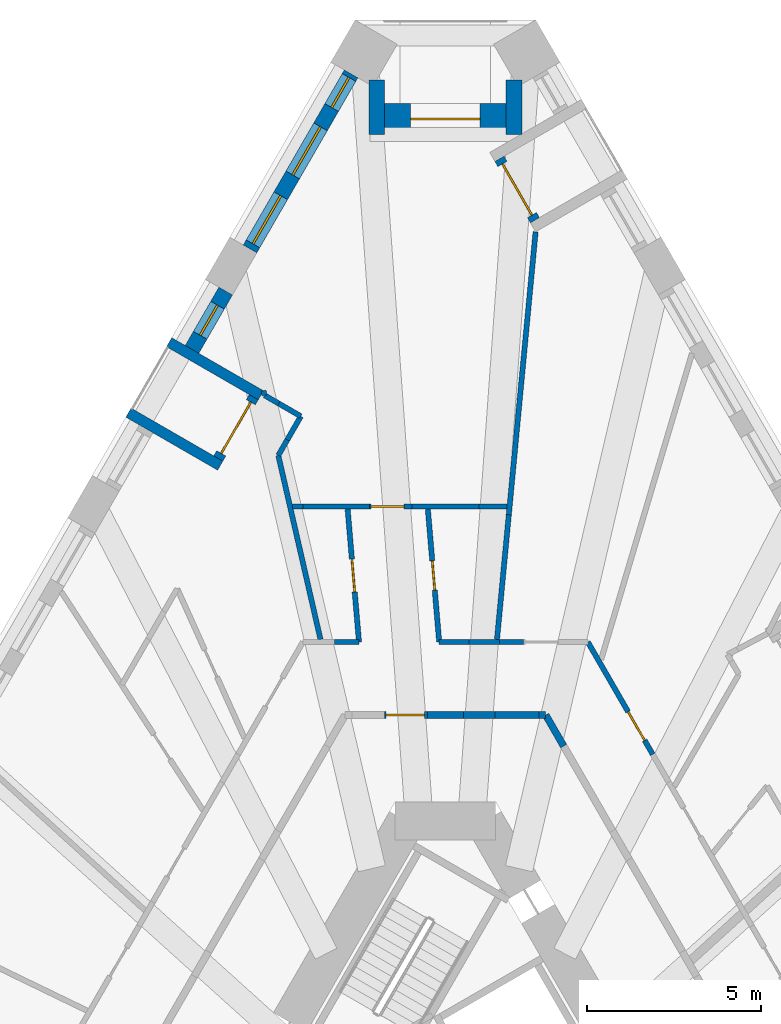
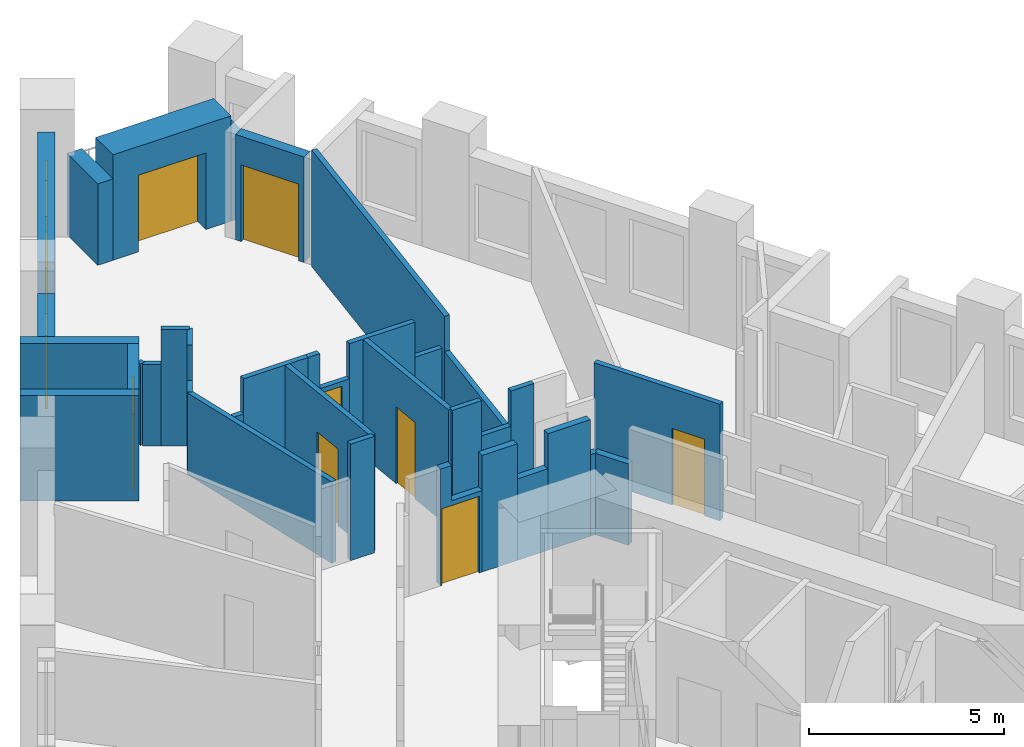
# One storey, part 9 of 14: 35 walls, 8 doors, 4 windows, 12 openings.
"""IFC4 building model written with IfcOpenShell, lengths in metres."""

from ifc_helpers import new_model, si_unit, direction, frame, frame_2d, origin, place, context, subcontext, project, spatial, polyline, rectangle, outline, extrude, material, layer, layer_set, type_object, element, fill, save


model = new_model("IFC4")

# Units and contexts
model_context = context("Model", 3, precision=1e-05, world=origin(), true_north=direction((0.0, 1.0)))
body_context = subcontext(model_context, "Body", "Model", "MODEL_VIEW")
ifc_project = project(units=[si_unit("LENGTHUNIT", "METRE"), si_unit("AREAUNIT", "SQUARE_METRE"), si_unit("VOLUMEUNIT", "CUBIC_METRE"), si_unit("PLANEANGLEUNIT", "RADIAN"), si_unit("MASSUNIT", "GRAM", prefix="KILO")], contexts=[model_context])

# Site, building, storey
site_placement = place(None, origin())
site = spatial("IfcSite", under=ifc_project, at=site_placement, CompositionType="ELEMENT")
building_placement = place(site_placement, origin())
building = spatial("IfcBuilding", under=site, at=building_placement, Name="Tramontana Tower", CompositionType="ELEMENT")
storey_placement = place(building_placement, frame((0.0, 0.0, 34.0)))
storey = spatial("IfcBuildingStorey", under=building, at=storey_placement, Name="L06", CompositionType="ELEMENT", Elevation=34.0)

# Wall
ifc_material_1 = material(Name="Blockwork", Category="masonry")
ifc_layer_1 = layer(ifc_material_1, 0.199951171875)
ifc_layer_set_1 = layer_set([ifc_layer_1], Name="ENTRY WALL 200")
wall_type_1 = type_object("IfcWallType", Name="ENTRY WALL 200", PredefinedType="SOLIDWALL", material=ifc_layer_set_1)
wall_1_placement = place(storey_placement, frame((2.88671875, 13.5, 0.0), z_axis=(0.0, 0.0, 1.0), x_axis=(0.499994660107, -0.866028486751, 0.0)))
element("IfcWall", 1, at=wall_1_placement, inside=storey, type_object=wall_type_1, Name="Wall v01-ew0-0", PredefinedType="SOLIDWALL", context=body_context, shape_type="SweptSolid", body=[
    extrude(rectangle(XDim=1.03515625, YDim=0.199951171875, at=frame_2d((0.517578125, 0.0))), origin(), (0.0, 0.0, 1.0), 2.550048828125),
])

# Wall, opening, door
wall_2_placement = place(storey_placement, frame((-0.520263671875, 13.5, 0.0), z_axis=(0.0, 0.0, 1.0), x_axis=(-1.0, 0.0, 0.0)))
wall_2 = element("IfcWall", 2, at=wall_2_placement, inside=storey, type_object=wall_type_1, Name="Wall v01-ew5-2", PredefinedType="SOLIDWALL", context=body_context, shape_type="SweptSolid", body=[
    extrude(outline(polyline([(0.0, 0.0), (1.23291015625, 0.0), (1.23291015625, 3.64990234375), (0.90234375, 3.64990234375), (0.90234375, 2.550048828125), (0.0, 2.550048828125), (0.0, 0.0)])), frame((0.0, 0.10009765625, 0.0), z_axis=(0.0, -1.0, 0.0), x_axis=(1.0, 0.0, 0.0)), (0.0, 0.0, 1.0), 0.199951171875),
])
opening_1_placement = place(wall_2_placement, frame((0.082763671875, 0.0, 0.0)))
opening_1 = element("IfcOpeningElement", 3, at=opening_1_placement, cuts=wall_2, Name="Opening B0B-34", PredefinedType="OPENING", context=body_context, shape_type="SweptSolid", body=[
    extrude(rectangle(XDim=1.10009765625, YDim=2.39990234375, at=frame_2d((0.550048828125, 1.199951171875))), frame((0.0, 0.10986328125, 0.0), z_axis=(0.0, -1.0, 0.0), x_axis=(1.0, 0.0, 0.0)), (0.0, 0.0, 1.0), 0.219970703125),
])
ifc_material_2 = material(Name="Painted timber", Category="wood")
door_type_1 = type_object("IfcDoorType", Name="DOOR ENTRY 1100", OperationType="SINGLE_SWING_LEFT", PredefinedType="DOOR", material=ifc_material_2)
door_1_placement = place(opening_1_placement, origin())
door_1 = element("IfcDoor", 4, at=door_1_placement, inside=storey, type_object=door_type_1, Name="Door B0B-34", OperationType="SINGLE_SWING_RIGHT", OverallHeight=2.39990234375, OverallWidth=1.10009765625, PredefinedType="DOOR", context=body_context, shape_type="SweptSolid", body=[
    extrude(rectangle(XDim=1.10009765625, YDim=2.39990234375, at=frame_2d((0.550048828125, 1.199951171875))), frame((0.0, 0.02490234375, 0.0), z_axis=(0.0, -1.0, 0.0), x_axis=(1.0, 0.0, 0.0)), (0.0, 0.0, 1.0), 0.050048828125),
])
fill(opening_1, door_1)

# Walls
wall_3_placement = place(storey_placement, frame((-0.520263671875, 13.5, 0.0), z_axis=(0.0, 0.0, 1.0), x_axis=(1.0, 0.0, 0.0)))
element("IfcWall", 5, at=wall_3_placement, inside=storey, type_object=wall_type_1, Name="Wall v01-ew5-3", PredefinedType="SOLIDWALL", context=body_context, shape_type="SweptSolid", body=[
    extrude(rectangle(XDim=1.04052734375, YDim=0.199951171875, at=frame_2d((0.520263671875, 0.0))), origin(), (0.0, 0.0, 1.0), 3.64990234375),
])
wall_4_placement = place(storey_placement, frame((0.520263671875, 13.5, 0.0), z_axis=(0.0, 0.0, 1.0), x_axis=(1.0, 0.0, 0.0)))
element("IfcWall", 6, at=wall_4_placement, inside=storey, type_object=wall_type_1, Name="Wall v01-ew5-4", PredefinedType="SOLIDWALL", context=body_context, shape_type="SweptSolid", body=[
    extrude(rectangle(XDim=0.90234375, YDim=0.199951171875, at=frame_2d((0.451171875, 0.0))), origin(), (0.0, 0.0, 1.0), 2.550048828125),
])
wall_5_placement = place(storey_placement, frame((1.422607421875, 13.5, 0.0), z_axis=(0.0, 0.0, 1.0), x_axis=(1.0, 0.0, 0.0)))
element("IfcWall", 7, at=wall_5_placement, inside=storey, type_object=wall_type_1, Name="Wall v01-ew5-5", PredefinedType="SOLIDWALL", context=body_context, shape_type="SweptSolid", body=[
    extrude(rectangle(XDim=1.266845703125, YDim=0.199951171875, at=frame_2d((0.63330078125, 0.0))), origin(), (0.0, 0.0, 1.0), 3.64990234375),
])
wall_6_placement = place(storey_placement, frame((2.689453125, 13.5, 0.0), z_axis=(0.0, 0.0, 1.0), x_axis=(1.0, 0.0, 0.0)))
element("IfcWall", 8, at=wall_6_placement, inside=storey, type_object=wall_type_1, Name="Wall v01-ew5-6", PredefinedType="SOLIDWALL", context=body_context, shape_type="SweptSolid", body=[
    extrude(rectangle(XDim=0.197265625, YDim=0.199951171875, at=frame_2d((0.0986328125, 0.0))), origin(), (0.0, 0.0, 1.0), 2.550048828125),
])

# Wall, openings, windows
ifc_material_3 = material(Name="Precast concrete 60 MPa", Category="concrete")
ifc_layer_2 = layer(ifc_material_3, 0.449951171875)
ifc_layer_set_2 = layer_set([ifc_layer_2], Name="Precast concrete 60 MPa, 450 mm")
wall_type_2 = type_object("IfcWallType", Name="EW1 Stone-faced precast wall 450", PredefinedType="SOLIDWALL", material=ifc_layer_set_2)
wall_7_placement = place(storey_placement, frame((-2.713623046875, 31.949951171875, 0.0), z_axis=(0.0, 0.0, 1.0), x_axis=(-0.500007002644, -0.866021360769, 0.0)))
wall_7 = element("IfcWall", 9, at=wall_7_placement, inside=storey, type_object=wall_type_2, Name="External wall L06 face 0 bay 1", PredefinedType="SOLIDWALL", context=body_context, shape_type="SweptSolid", body=[
    extrude(rectangle(XDim=5.81787109375, YDim=0.449951171875, at=frame_2d((2.908935546875, 0.0))), origin(), (0.0, 0.0, 1.0), 3.300048828125),
])
opening_2_placement = place(wall_7_placement, frame((0.11962890625, 0.0, 0.699951171875)))
opening_2 = element("IfcOpeningElement", 10, at=opening_2_placement, cuts=wall_7, Name="Opening N1L", PredefinedType="OPENING", context=body_context, shape_type="SweptSolid", body=[
    extrude(rectangle(XDim=1.0, YDim=1.800048828125, at=frame_2d((0.5, 0.89990234375))), frame((0.0, 0.23486328125, 0.0), z_axis=(0.0, -1.0, 0.0), x_axis=(1.0, 0.0, 0.0)), (0.0, 0.0, 1.0), 0.469970703125),
])
opening_3_placement = place(wall_7_placement, frame((1.759033203125, 0.0, 0.699951171875)))
opening_3 = element("IfcOpeningElement", 11, at=opening_3_placement, cuts=wall_7, Name="Opening M1", PredefinedType="OPENING", context=body_context, shape_type="SweptSolid", body=[
    extrude(rectangle(XDim=1.60009765625, YDim=2.300048828125, at=frame_2d((0.800048828125, 1.14990234375))), frame((0.0, 0.23486328125, 0.0), z_axis=(0.0, -1.0, 0.0), x_axis=(1.0, 0.0, 0.0)), (0.0, 0.0, 1.0), 0.469970703125),
])
opening_4_placement = place(wall_7_placement, frame((4.04833984375, 0.0, 0.699951171875)))
opening_4 = element("IfcOpeningElement", 12, at=opening_4_placement, cuts=wall_7, Name="Opening M1", PredefinedType="OPENING", context=body_context, shape_type="SweptSolid", body=[
    extrude(rectangle(XDim=1.60009765625, YDim=2.300048828125, at=frame_2d((0.800048828125, 1.14990234375))), frame((0.0, 0.23486328125, 0.0), z_axis=(0.0, -1.0, 0.0), x_axis=(1.0, 0.0, 0.0)), (0.0, 0.0, 1.0), 0.469970703125),
])
ifc_material_4 = material(Name="Aluminum frame, double glazing unit", Category="aluminium")
window_type_1 = type_object("IfcWindowType", Name="M1 Window 1.6 x 2.3", PartitioningType="SINGLE_PANEL", PredefinedType="WINDOW", material=ifc_material_4)
window_1_placement = place(opening_3_placement, origin())
window_1 = element("IfcWindow", 13, at=window_1_placement, inside=storey, type_object=window_type_1, Name="Window M1 L06 face 0 module 2", OverallHeight=2.300048828125, OverallWidth=1.60009765625, PartitioningType="SINGLE_PANEL", PredefinedType="WINDOW", context=body_context, shape_type="SweptSolid", body=[
    extrude(rectangle(XDim=1.60009765625, YDim=2.300048828125, at=frame_2d((0.800048828125, 1.14990234375))), frame((0.0, 0.030029296875, 0.0), z_axis=(0.0, -1.0, 0.0), x_axis=(1.0, 0.0, 0.0)), (0.0, 0.0, 1.0), 0.06005859375),
])
fill(opening_3, window_1)
window_2_placement = place(opening_4_placement, origin())
window_2 = element("IfcWindow", 14, at=window_2_placement, inside=storey, type_object=window_type_1, Name="Window M1 L06 face 0 module 3", OverallHeight=2.300048828125, OverallWidth=1.60009765625, PartitioningType="SINGLE_PANEL", PredefinedType="WINDOW", context=body_context, shape_type="SweptSolid", body=[
    extrude(rectangle(XDim=1.60009765625, YDim=2.300048828125, at=frame_2d((0.800048828125, 1.14990234375))), frame((0.0, 0.030029296875, 0.0), z_axis=(0.0, -1.0, 0.0), x_axis=(1.0, 0.0, 0.0)), (0.0, 0.0, 1.0), 0.06005859375),
])
fill(opening_4, window_2)
ifc_material_5 = material(Name="Aluminum frame, double glazing unit", Category="aluminium")
window_type_2 = type_object("IfcWindowType", Name="N1L Window 1 x 1.8", PartitioningType="SINGLE_PANEL", PredefinedType="WINDOW", material=ifc_material_5)
window_3_placement = place(opening_2_placement, origin())
window_3 = element("IfcWindow", 15, at=window_3_placement, inside=storey, type_object=window_type_2, Name="Window N1L L06 face 0 module 1", OverallHeight=1.800048828125, OverallWidth=1.0, PartitioningType="SINGLE_PANEL", PredefinedType="WINDOW", context=body_context, shape_type="SweptSolid", body=[
    extrude(rectangle(XDim=1.0, YDim=1.800048828125, at=frame_2d((0.5, 0.89990234375))), frame((0.0, 0.030029296875, 0.0), z_axis=(0.0, -1.0, 0.0), x_axis=(1.0, 0.0, 0.0)), (0.0, 0.0, 1.0), 0.06005859375),
])
fill(opening_2, window_3)

# Wall, opening, window
wall_8_placement = place(storey_placement, frame((-6.322509765625, 25.69921875, 0.0), z_axis=(0.0, 0.0, 1.0), x_axis=(-0.49998396455, -0.866034661658, 0.0)))
wall_8 = element("IfcWall", 16, at=wall_8_placement, inside=storey, type_object=wall_type_2, Name="External wall L06 face 0 bay 2", PredefinedType="SOLIDWALL", context=body_context, shape_type="SweptSolid", body=[
    extrude(rectangle(XDim=1.939453125, YDim=0.449951171875, at=frame_2d((0.9697265625, 0.0))), origin(), (0.0, 0.0, 1.0), 3.300048828125),
])
opening_5_placement = place(wall_8_placement, frame((0.4697265625, 0.0, 0.699951171875)))
opening_5 = element("IfcOpeningElement", 17, at=opening_5_placement, cuts=wall_8, Name="Opening N1", PredefinedType="OPENING", context=body_context, shape_type="SweptSolid", body=[
    extrude(rectangle(XDim=1.0, YDim=2.300048828125, at=frame_2d((0.5, 1.14990234375))), frame((0.0, 0.23486328125, 0.0), z_axis=(0.0, -1.0, 0.0), x_axis=(1.0, 0.0, 0.0)), (0.0, 0.0, 1.0), 0.469970703125),
])
ifc_material_6 = material(Name="Aluminum frame, double glazing unit", Category="aluminium")
window_type_3 = type_object("IfcWindowType", Name="N1 Window 1 x 2.3", PartitioningType="SINGLE_PANEL", PredefinedType="WINDOW", material=ifc_material_6)
window_4_placement = place(opening_5_placement, origin())
window_4 = element("IfcWindow", 18, at=window_4_placement, inside=storey, type_object=window_type_3, Name="Window N1 L06 face 0 module 4", OverallHeight=2.300048828125, OverallWidth=1.0, PartitioningType="SINGLE_PANEL", PredefinedType="WINDOW", context=body_context, shape_type="SweptSolid", body=[
    extrude(rectangle(XDim=1.0, YDim=2.300048828125, at=frame_2d((0.5, 1.14990234375))), frame((0.0, 0.030029296875, 0.0), z_axis=(0.0, -1.0, 0.0), x_axis=(1.0, 0.0, 0.0)), (0.0, 0.0, 1.0), 0.06005859375),
])
fill(opening_5, window_4)

# Walls
for number, where, z_axis, x_axis, name in (
    (19, (-1.97509765625, 31.779296875, 0.0), (0.0, 0.0, 1.0), (0.0, -1.0, 0.0), "Corner loggia side wall L06 K00l"),
    (20, (1.97509765625, 31.779296875, 0.0), (0.0, 0.0, 1.0), (0.0, -1.0, 0.0), "Corner loggia side wall L06 K00r"),
):
    element("IfcWall", number, at=place(storey_placement, frame(where, z_axis=z_axis, x_axis=x_axis)), inside=storey, type_object=wall_type_2, Name=name, PredefinedType="SOLIDWALL", context=body_context, shape_type="SweptSolid", body=[
        extrude(rectangle(XDim=1.579345703125, YDim=0.449951171875, at=frame_2d((0.78955078125, 0.0))), origin(), (0.0, 0.0, 1.0), 2.550048828125),
    ])

# Wall, opening, door
ifc_material_7 = material(Name="Precast concrete 60 MPa", Category="concrete")
ifc_layer_3 = layer(ifc_material_7, 0.89990234375)
ifc_layer_set_3 = layer_set([ifc_layer_3], Name="EW2 Stone-faced corner loggia wall 900")
wall_type_3 = type_object("IfcWallType", Name="EW2 Stone-faced corner loggia wall 900", PredefinedType="SOLIDWALL", material=ifc_layer_set_3)
wall_9_placement = place(storey_placement, frame((-1.75, 30.64990234375, 0.0), z_axis=(0.0, 0.0, 1.0), x_axis=(1.0, 0.0, 0.0)))
wall_9 = element("IfcWall", 21, at=wall_9_placement, inside=storey, type_object=wall_type_3, Name="Corner loggia wall L06 K00", PredefinedType="SOLIDWALL", context=body_context, shape_type="SweptSolid", body=[
    extrude(rectangle(XDim=3.5, YDim=0.89990234375, at=frame_2d((1.75, 0.0))), origin(), (0.0, 0.0, 1.0), 3.300048828125),
])
opening_6_placement = place(wall_9_placement, frame((0.75, 0.0, 0.0)))
opening_6 = element("IfcOpeningElement", 22, at=opening_6_placement, cuts=wall_9, Name="Opening BD-00C", PredefinedType="OPENING", context=body_context, shape_type="SweptSolid", body=[
    extrude(rectangle(XDim=2.0, YDim=2.39990234375, at=frame_2d((1.0, 1.199951171875))), frame((0.0, 0.4599609375, 0.0), z_axis=(0.0, -1.0, 0.0), x_axis=(1.0, 0.0, 0.0)), (0.0, 0.0, 1.0), 0.919921875),
])
ifc_material_8 = material(Name="Aluminum frame, double glazing unit", Category="aluminium")
door_type_2 = type_object("IfcDoorType", Name="BC1 Sliding door 2 x 2.4", OperationType="SLIDING_TO_LEFT", PredefinedType="DOOR", material=ifc_material_8)
door_2_placement = place(opening_6_placement, origin())
door_2 = element("IfcDoor", 23, at=door_2_placement, inside=storey, type_object=door_type_2, Name="Corner loggia door L06 K00", OperationType="SLIDING_TO_LEFT", OverallHeight=2.39990234375, OverallWidth=2.0, PredefinedType="DOOR", context=body_context, shape_type="SweptSolid", body=[
    extrude(rectangle(XDim=2.0, YDim=2.39990234375, at=frame_2d((1.0, 1.199951171875))), frame((0.0, 0.02490234375, 0.0), z_axis=(0.0, -1.0, 0.0), x_axis=(1.0, 0.0, 0.0)), (0.0, 0.0, 1.0), 0.050048828125),
])
fill(opening_6, door_2)

ifc_material_9 = material(Name="Precast concrete 60 MPa", Category="concrete")
ifc_layer_4 = layer(ifc_material_9, 0.300048828125)
ifc_layer_set_4 = layer_set([ifc_layer_4], Name="LW1 Stone-faced loggia wall 300")
wall_type_4 = type_object("IfcWallType", Name="LW1 Stone-faced loggia wall 300", PredefinedType="SOLIDWALL", material=ifc_layer_set_4)
wall_10_placement = place(storey_placement, frame((-5.51513671875, 22.647216796875, 0.0), z_axis=(0.0, 0.0, 1.0), x_axis=(-0.500092081068, -0.865972234227, 0.0)))
wall_10 = element("IfcWall", 24, at=wall_10_placement, inside=storey, type_object=wall_type_4, Name="Loggia wall L06 G0S0.4", PredefinedType="SOLIDWALL", context=body_context, shape_type="SweptSolid", body=[
    extrude(rectangle(XDim=2.0390625, YDim=0.300048828125, at=frame_2d((1.01953125, 0.0))), origin(), (0.0, 0.0, 1.0), 3.300048828125),
])
opening_7_placement = place(wall_10_placement, frame((0.169677734375, 0.0, 0.0)))
opening_7 = element("IfcOpeningElement", 25, at=opening_7_placement, cuts=wall_10, Name="Opening BD-0S0-04", PredefinedType="OPENING", context=body_context, shape_type="SweptSolid", body=[
    extrude(rectangle(XDim=1.699951171875, YDim=2.39990234375, at=frame_2d((0.85009765625, 1.199951171875))), frame((0.0, 0.159912109375, 0.0), z_axis=(0.0, -1.0, 0.0), x_axis=(1.0, 0.0, 0.0)), (0.0, 0.0, 1.0), 0.320068359375),
])
ifc_material_10 = material(Name="Aluminum frame, double glazing unit", Category="aluminium")
door_type_3 = type_object("IfcDoorType", Name="BD1 Sliding door 1.7 x 2.4", OperationType="SLIDING_TO_LEFT", PredefinedType="DOOR", material=ifc_material_10)
door_3_placement = place(opening_7_placement, origin())
door_3 = element("IfcDoor", 26, at=door_3_placement, inside=storey, type_object=door_type_3, Name="Loggia door L06 G0S0.4", OperationType="SLIDING_TO_LEFT", OverallHeight=2.39990234375, OverallWidth=1.699951171875, PredefinedType="DOOR", context=body_context, shape_type="SweptSolid", body=[
    extrude(rectangle(XDim=1.699951171875, YDim=2.39990234375, at=frame_2d((0.85009765625, 1.199951171875))), frame((0.0, 0.02490234375, 0.0), z_axis=(0.0, -1.0, 0.0), x_axis=(1.0, 0.0, 0.0)), (0.0, 0.0, 1.0), 0.050048828125),
])
fill(opening_7, door_3)

# Walls
for number, where, z_axis, x_axis, name in (
    (27, (-7.95166015625, 24.227294921875, 0.0), (0.0, 0.0, 1.0), (0.8660029625, -0.500038867431, 0.0), "Loggia return L06 G0S0.4a"),
    (28, (-9.121337890625, 22.201416015625, 0.0), (0.0, 0.0, 1.0), (0.8660029625, -0.500038867431, 0.0), "Loggia return L06 G0S0.4b"),
):
    element("IfcWall", number, at=place(storey_placement, frame(where, z_axis=z_axis, x_axis=x_axis)), inside=storey, type_object=wall_type_4, Name=name, PredefinedType="SOLIDWALL", context=body_context, shape_type="SweptSolid", body=[
        extrude(rectangle(XDim=3.050048828125, YDim=0.300048828125, at=frame_2d((1.52490234375, 0.0))), origin(), (0.0, 0.0, 1.0), 3.300048828125),
    ])

# Wall, opening, door
wall_11_placement = place(storey_placement, frame((2.575927734375, 27.73828125, 0.0), z_axis=(0.0, 0.0, 1.0), x_axis=(-0.500040236659, 0.866002171892, 0.0)))
wall_11 = element("IfcWall", 29, at=wall_11_placement, inside=storey, type_object=wall_type_4, Name="Loggia wall L06 G0S2.19", PredefinedType="SOLIDWALL", context=body_context, shape_type="SweptSolid", body=[
    extrude(rectangle(XDim=2.039306640625, YDim=0.300048828125, at=frame_2d((1.01953125, 0.0))), origin(), (0.0, 0.0, 1.0), 3.300048828125),
])
opening_8_placement = place(wall_11_placement, frame((0.169677734375, 0.0, 0.0)))
opening_8 = element("IfcOpeningElement", 30, at=opening_8_placement, cuts=wall_11, Name="Opening BD-0S2-19", PredefinedType="OPENING", context=body_context, shape_type="SweptSolid", body=[
    extrude(rectangle(XDim=1.699951171875, YDim=2.39990234375, at=frame_2d((0.85009765625, 1.199951171875))), frame((0.0, 0.159912109375, 0.0), z_axis=(0.0, -1.0, 0.0), x_axis=(1.0, 0.0, 0.0)), (0.0, 0.0, 1.0), 0.320068359375),
])
door_4_placement = place(opening_8_placement, origin())
door_4 = element("IfcDoor", 31, at=door_4_placement, inside=storey, type_object=door_type_3, Name="Loggia door L06 G0S2.19", OperationType="SLIDING_TO_LEFT", OverallHeight=2.39990234375, OverallWidth=1.699951171875, PredefinedType="DOOR", context=body_context, shape_type="SweptSolid", body=[
    extrude(rectangle(XDim=1.699951171875, YDim=2.39990234375, at=frame_2d((0.85009765625, 1.199951171875))), frame((0.0, 0.02490234375, 0.0), z_axis=(0.0, -1.0, 0.0), x_axis=(1.0, 0.0, 0.0)), (0.0, 0.0, 1.0), 0.050048828125),
])
fill(opening_8, door_4)

# Walls
ifc_material_11 = material(Name="Gypsum board partition")
ifc_layer_5 = layer(ifc_material_11, 0.14990234375)
ifc_layer_set_5 = layer_set([ifc_layer_5], Name="PARTITION 150")
wall_type_5 = type_object("IfcWallType", Name="PARTITION 150", PredefinedType="PARTITIONING", material=ifc_layer_set_5)
wall_12_placement = place(storey_placement, frame((-5.204833984375, 22.699462890625, 0.0), z_axis=(0.0, 0.0, 1.0), x_axis=(-0.224199209128, 0.974543336454, 0.0)))
element("IfcWall", 32, at=wall_12_placement, inside=storey, type_object=wall_type_5, Name="Wall v01-pw23-0", PredefinedType="PARTITIONING", context=body_context, shape_type="SweptSolid", body=[
    extrude(rectangle(XDim=0.135009765625, YDim=0.14990234375, at=frame_2d((0.0673828125, 0.0))), origin(), (0.0, 0.0, 1.0), 2.550048828125),
])
wall_13_placement = place(storey_placement, frame((-4.80859375, 20.970947265625, 0.0), z_axis=(0.0, 0.0, 1.0), x_axis=(0.500009360108, 0.866019999656, 0.0)))
element("IfcWall", 33, at=wall_13_placement, inside=storey, type_object=wall_type_5, Name="Wall v01-pw24-0", PredefinedType="PARTITIONING", context=body_context, shape_type="SweptSolid", body=[
    extrude(rectangle(XDim=0.515625, YDim=0.14990234375, at=frame_2d((0.2578125, 0.0))), origin(), (0.0, 0.0, 1.0), 2.550048828125),
])
wall_14_placement = place(storey_placement, frame((-4.55078125, 21.41748046875, 0.0), z_axis=(0.0, 0.0, 1.0), x_axis=(0.50003806587, 0.866003425329, 0.0)))
element("IfcWall", 34, at=wall_14_placement, inside=storey, type_object=wall_type_5, Name="Wall v01-pw24-1", PredefinedType="PARTITIONING", context=body_context, shape_type="SweptSolid", body=[
    extrude(rectangle(XDim=0.78125, YDim=0.14990234375, at=frame_2d((0.390625, 0.0))), origin(), (0.0, 0.0, 1.0), 3.64990234375),
])
wall_15_placement = place(storey_placement, frame((-4.394287109375, 19.5, 0.0), z_axis=(0.0, 0.0, 1.0), x_axis=(1.0, 0.0, 0.0)))
element("IfcWall", 35, at=wall_15_placement, inside=storey, type_object=wall_type_5, Name="Wall v01-pw25-0", PredefinedType="PARTITIONING", context=body_context, shape_type="SweptSolid", body=[
    extrude(rectangle(XDim=0.291259765625, YDim=0.14990234375, at=frame_2d((0.1455078125, 0.0))), origin(), (0.0, 0.0, 1.0), 2.550048828125),
])
wall_16_placement = place(storey_placement, frame((-4.10302734375, 19.5, 0.0), z_axis=(0.0, 0.0, 1.0), x_axis=(1.0, 0.0, 0.0)))
element("IfcWall", 36, at=wall_16_placement, inside=storey, type_object=wall_type_5, Name="Wall v01-pw25-1", PredefinedType="PARTITIONING", context=body_context, shape_type="SweptSolid", body=[
    extrude(rectangle(XDim=1.912353515625, YDim=0.14990234375, at=frame_2d((0.9560546875, 0.0))), origin(), (0.0, 0.0, 1.0), 3.64990234375),
])

# Wall, opening, door
wall_17_placement = place(storey_placement, frame((-2.190673828125, 19.5, 0.0), z_axis=(0.0, 0.0, 1.0), x_axis=(1.0, 0.0, 0.0)))
wall_17 = element("IfcWall", 37, at=wall_17_placement, inside=storey, type_object=wall_type_5, Name="Wall v01-pw25-2", PredefinedType="PARTITIONING", context=body_context, shape_type="SweptSolid", body=[
    extrude(outline(polyline([(0.0, 0.0), (1.22607421875, 0.0), (1.22607421875, 2.550048828125), (0.3486328125, 2.550048828125), (0.3486328125, 3.64990234375), (0.0, 3.64990234375), (0.0, 0.0)])), frame((0.0, 0.074951171875, 0.0), z_axis=(0.0, -1.0, 0.0), x_axis=(1.0, 0.0, 0.0)), (0.0, 0.0, 1.0), 0.14990234375),
])
opening_9_placement = place(wall_17_placement, frame((0.050048828125, 0.0, 0.0)))
opening_9 = element("IfcOpeningElement", 38, at=opening_9_placement, cuts=wall_17, Name="Opening B0B-03", PredefinedType="OPENING", context=body_context, shape_type="SweptSolid", body=[
    extrude(rectangle(XDim=0.949951171875, YDim=2.39990234375, at=frame_2d((0.47509765625, 1.199951171875))), frame((0.0, 0.0849609375, 0.0), z_axis=(0.0, -1.0, 0.0), x_axis=(1.0, 0.0, 0.0)), (0.0, 0.0, 1.0), 0.169921875),
])
ifc_material_12 = material(Name="Painted timber", Category="wood")
door_type_4 = type_object("IfcDoorType", Name="DOOR ROOM 950", OperationType="SINGLE_SWING_LEFT", PredefinedType="DOOR", material=ifc_material_12)
door_5_placement = place(opening_9_placement, origin())
door_5 = element("IfcDoor", 39, at=door_5_placement, inside=storey, type_object=door_type_4, Name="Door B0B-03", OperationType="SINGLE_SWING_LEFT", OverallHeight=2.39990234375, OverallWidth=0.949951171875, PredefinedType="DOOR", context=body_context, shape_type="SweptSolid", body=[
    extrude(rectangle(XDim=0.949951171875, YDim=2.39990234375, at=frame_2d((0.47509765625, 1.199951171875))), frame((0.0, 0.02490234375, 0.0), z_axis=(0.0, -1.0, 0.0), x_axis=(1.0, 0.0, 0.0)), (0.0, 0.0, 1.0), 0.050048828125),
])
fill(opening_9, door_5)

# Walls
wall_18_placement = place(storey_placement, frame((-0.964599609375, 19.5, 0.0), z_axis=(0.0, 0.0, 1.0), x_axis=(1.0, 0.0, 0.0)))
element("IfcWall", 40, at=wall_18_placement, inside=storey, type_object=wall_type_5, Name="Wall v01-pw25-3", PredefinedType="PARTITIONING", context=body_context, shape_type="SweptSolid", body=[
    extrude(rectangle(XDim=1.92919921875, YDim=0.14990234375, at=frame_2d((0.964599609375, 0.0))), origin(), (0.0, 0.0, 1.0), 3.64990234375),
])
wall_19_placement = place(storey_placement, frame((0.964599609375, 19.5, 0.0), z_axis=(0.0, 0.0, 1.0), x_axis=(1.0, 0.0, 0.0)))
element("IfcWall", 41, at=wall_19_placement, inside=storey, type_object=wall_type_5, Name="Wall v01-pw25-4", PredefinedType="PARTITIONING", context=body_context, shape_type="SweptSolid", body=[
    extrude(rectangle(XDim=0.807373046875, YDim=0.14990234375, at=frame_2d((0.40380859375, 0.0))), origin(), (0.0, 0.0, 1.0), 2.550048828125),
])
wall_20_placement = place(storey_placement, frame((-4.160888671875, 22.0966796875, 0.0), z_axis=(0.0, 0.0, 1.0), x_axis=(-0.866141146063, 0.499799474886, 0.0)))
element("IfcWall", 42, at=wall_20_placement, inside=storey, type_object=wall_type_5, Name="Wall v01-pw26-0", PredefinedType="PARTITIONING", context=body_context, shape_type="SweptSolid", body=[
    extrude(rectangle(XDim=0.731689453125, YDim=0.14990234375, at=frame_2d((0.36572265625, 0.0))), origin(), (0.0, 0.0, 1.0), 3.64990234375),
])
wall_21_placement = place(storey_placement, frame((-4.794677734375, 22.46240234375, 0.0), z_axis=(0.0, 0.0, 1.0), x_axis=(-0.866013897511, 0.50001992892, 0.0)))
element("IfcWall", 43, at=wall_21_placement, inside=storey, type_object=wall_type_5, Name="Wall v01-pw26-1", PredefinedType="PARTITIONING", context=body_context, shape_type="SweptSolid", body=[
    extrude(rectangle(XDim=0.4736328125, YDim=0.14990234375, at=frame_2d((0.23681640625, 0.0))), origin(), (0.0, 0.0, 1.0), 2.550048828125),
])
wall_22_placement = place(storey_placement, frame((-3.192626953125, 15.60009765625, 0.0), z_axis=(0.0, 0.0, 1.0), x_axis=(1.0, 0.0, 0.0)))
element("IfcWall", 44, at=wall_22_placement, inside=storey, type_object=wall_type_5, Name="Wall v01-pw27-1", PredefinedType="PARTITIONING", context=body_context, shape_type="SweptSolid", body=[
    extrude(rectangle(XDim=0.705810546875, YDim=0.14990234375, at=frame_2d((0.35302734375, 0.0))), origin(), (0.0, 0.0, 1.0), 3.64990234375),
])
wall_23_placement = place(storey_placement, frame((-3.59423828125, 15.675048828125, 0.0), z_axis=(0.0, 0.0, 1.0), x_axis=(-0.223500672061, 0.974703775302, 0.0)))
element("IfcWall", 45, at=wall_23_placement, inside=storey, type_object=wall_type_5, Name="Wall v01-pw28-0", PredefinedType="PARTITIONING", context=body_context, shape_type="SweptSolid", body=[
    extrude(rectangle(XDim=5.433349609375, YDim=0.14990234375, at=frame_2d((2.716796875, 0.0))), origin(), (0.0, 0.0, 1.0), 2.550048828125),
])

# Wall, opening, door
wall_24_placement = place(storey_placement, frame((-2.48681640625, 15.60009765625, 0.0), z_axis=(0.0, 0.0, 1.0), x_axis=(-0.085092687009, 0.996373039889, 0.0)))
wall_24 = element("IfcWall", 46, at=wall_24_placement, inside=storey, type_object=wall_type_5, Name="Wall v01-pw29", PredefinedType="PARTITIONING", context=body_context, shape_type="SweptSolid", body=[
    extrude(rectangle(XDim=3.8388671875, YDim=0.14990234375, at=frame_2d((1.91943359375, 0.0))), origin(), (0.0, 0.0, 1.0), 3.64990234375),
])
opening_10_placement = place(wall_24_placement, frame((1.444580078125, 0.0, 0.0)))
opening_10 = element("IfcOpeningElement", 47, at=opening_10_placement, cuts=wall_24, Name="Opening B0B-01", PredefinedType="OPENING", context=body_context, shape_type="SweptSolid", body=[
    extrude(rectangle(XDim=0.949951171875, YDim=2.39990234375, at=frame_2d((0.47509765625, 1.199951171875))), frame((0.0, 0.0849609375, 0.0), z_axis=(0.0, -1.0, 0.0), x_axis=(1.0, 0.0, 0.0)), (0.0, 0.0, 1.0), 0.169921875),
])
door_6_placement = place(opening_10_placement, origin())
door_6 = element("IfcDoor", 48, at=door_6_placement, inside=storey, type_object=door_type_4, Name="Door B0B-01", OperationType="SINGLE_SWING_LEFT", OverallHeight=2.39990234375, OverallWidth=0.949951171875, PredefinedType="DOOR", context=body_context, shape_type="SweptSolid", body=[
    extrude(rectangle(XDim=0.949951171875, YDim=2.39990234375, at=frame_2d((0.47509765625, 1.199951171875))), frame((0.0, 0.02490234375, 0.0), z_axis=(0.0, -1.0, 0.0), x_axis=(1.0, 0.0, 0.0)), (0.0, 0.0, 1.0), 0.050048828125),
])
fill(opening_10, door_6)

wall_25_placement = place(storey_placement, frame((-0.505126953125, 19.425048828125, 0.0), z_axis=(0.0, 0.0, 1.0), x_axis=(0.085092687009, -0.996373039889, 0.0)))
wall_25 = element("IfcWall", 49, at=wall_25_placement, inside=storey, type_object=wall_type_5, Name="Wall v01-pw31", PredefinedType="PARTITIONING", context=body_context, shape_type="SweptSolid", body=[
    extrude(rectangle(XDim=3.8388671875, YDim=0.14990234375, at=frame_2d((1.91943359375, 0.0))), origin(), (0.0, 0.0, 1.0), 3.64990234375),
])
opening_11_placement = place(wall_25_placement, frame((1.494384765625, 0.0, 0.0)))
opening_11 = element("IfcOpeningElement", 50, at=opening_11_placement, cuts=wall_25, Name="Opening B0B-02", PredefinedType="OPENING", context=body_context, shape_type="SweptSolid", body=[
    extrude(rectangle(XDim=0.85009765625, YDim=2.39990234375, at=frame_2d((0.425048828125, 1.199951171875))), frame((0.0, 0.0849609375, 0.0), z_axis=(0.0, -1.0, 0.0), x_axis=(1.0, 0.0, 0.0)), (0.0, 0.0, 1.0), 0.169921875),
])
ifc_material_13 = material(Name="Painted timber", Category="wood")
door_type_5 = type_object("IfcDoorType", Name="DOOR BATH 850", OperationType="SINGLE_SWING_LEFT", PredefinedType="DOOR", material=ifc_material_13)
door_7_placement = place(opening_11_placement, origin())
door_7 = element("IfcDoor", 51, at=door_7_placement, inside=storey, type_object=door_type_5, Name="Door B0B-02", OperationType="SINGLE_SWING_RIGHT", OverallHeight=2.39990234375, OverallWidth=0.85009765625, PredefinedType="DOOR", context=body_context, shape_type="SweptSolid", body=[
    extrude(rectangle(XDim=0.85009765625, YDim=2.39990234375, at=frame_2d((0.425048828125, 1.199951171875))), frame((0.0, 0.02490234375, 0.0), z_axis=(0.0, -1.0, 0.0), x_axis=(1.0, 0.0, 0.0)), (0.0, 0.0, 1.0), 0.050048828125),
])
fill(opening_11, door_7)

# Walls
wall_26_placement = place(storey_placement, frame((-0.178466796875, 15.60009765625, 0.0), z_axis=(0.0, 0.0, 1.0), x_axis=(1.0, 0.0, 0.0)))
element("IfcWall", 52, at=wall_26_placement, inside=storey, type_object=wall_type_5, Name="Wall v01-pw32-0", PredefinedType="PARTITIONING", context=body_context, shape_type="SweptSolid", body=[
    extrude(rectangle(XDim=0.8623046875, YDim=0.14990234375, at=frame_2d((0.43115234375, 0.0))), origin(), (0.0, 0.0, 1.0), 3.64990234375),
])
wall_27_placement = place(storey_placement, frame((0.683837890625, 15.60009765625, 0.0), z_axis=(0.0, 0.0, 1.0), x_axis=(1.0, 0.0, 0.0)))
element("IfcWall", 53, at=wall_27_placement, inside=storey, type_object=wall_type_5, Name="Wall v01-pw32-1", PredefinedType="PARTITIONING", context=body_context, shape_type="SweptSolid", body=[
    extrude(rectangle(XDim=0.87744140625, YDim=0.14990234375, at=frame_2d((0.438720703125, 0.0))), origin(), (0.0, 0.0, 1.0), 2.550048828125),
])
wall_28_placement = place(storey_placement, frame((1.561279296875, 15.60009765625, 0.0), z_axis=(0.0, 0.0, 1.0), x_axis=(1.0, 0.0, 0.0)))
element("IfcWall", 54, at=wall_28_placement, inside=storey, type_object=wall_type_5, Name="Wall v01-pw32-2", PredefinedType="PARTITIONING", context=body_context, shape_type="SweptSolid", body=[
    extrude(rectangle(XDim=0.6806640625, YDim=0.14990234375, at=frame_2d((0.34033203125, 0.0))), origin(), (0.0, 0.0, 1.0), 3.64990234375),
])
wall_29_placement = place(storey_placement, frame((2.595947265625, 27.403564453125, 0.0), z_axis=(0.0, 0.0, 1.0), x_axis=(-0.09430053336, -0.995543775737, 0.0)))
element("IfcWall", 55, at=wall_29_placement, inside=storey, type_object=wall_type_5, Name="Wall v01-pw33-0", PredefinedType="PARTITIONING", context=body_context, shape_type="SweptSolid", body=[
    extrude(rectangle(XDim=8.178466796875, YDim=0.14990234375, at=frame_2d((4.08935546875, 0.0))), origin(), (0.0, 0.0, 1.0), 3.64990234375),
])
wall_30_placement = place(storey_placement, frame((1.82470703125, 19.261474609375, 0.0), z_axis=(0.0, 0.0, 1.0), x_axis=(-0.094335758366, -0.995540438502, 0.0)))
element("IfcWall", 56, at=wall_30_placement, inside=storey, type_object=wall_type_5, Name="Wall v01-pw33-1", PredefinedType="PARTITIONING", context=body_context, shape_type="SweptSolid", body=[
    extrude(rectangle(XDim=3.6025390625, YDim=0.14990234375, at=frame_2d((1.80126953125, 0.0))), origin(), (0.0, 0.0, 1.0), 2.550048828125),
])

# Wall, opening, door
wall_31_placement = place(storey_placement, frame((4.09912109375, 15.60009765625, 0.0), z_axis=(0.0, 0.0, 1.0), x_axis=(0.500007375767, -0.866021145342, 0.0)))
wall_31 = element("IfcWall", 57, at=wall_31_placement, inside=storey, type_object=wall_type_5, Name="Wall v01-pw35-0", PredefinedType="PARTITIONING", context=body_context, shape_type="SweptSolid", body=[
    extrude(rectangle(XDim=3.7333984375, YDim=0.14990234375, at=frame_2d((1.86669921875, 0.0))), origin(), (0.0, 0.0, 1.0), 3.64990234375),
])
opening_12_placement = place(wall_31_placement, frame((2.3193359375, 0.0, 0.0)))
opening_12 = element("IfcOpeningElement", 58, at=opening_12_placement, cuts=wall_31, Name="Opening B0B-05", PredefinedType="OPENING", context=body_context, shape_type="SweptSolid", body=[
    extrude(rectangle(XDim=0.949951171875, YDim=2.39990234375, at=frame_2d((0.47509765625, 1.199951171875))), frame((0.0, 0.0849609375, 0.0), z_axis=(0.0, -1.0, 0.0), x_axis=(1.0, 0.0, 0.0)), (0.0, 0.0, 1.0), 0.169921875),
])
door_8_placement = place(opening_12_placement, origin())
door_8 = element("IfcDoor", 59, at=door_8_placement, inside=storey, type_object=door_type_4, Name="Door B0B-05", OperationType="SINGLE_SWING_LEFT", OverallHeight=2.39990234375, OverallWidth=0.949951171875, PredefinedType="DOOR", context=body_context, shape_type="SweptSolid", body=[
    extrude(rectangle(XDim=0.949951171875, YDim=2.39990234375, at=frame_2d((0.47509765625, 1.199951171875))), frame((0.0, 0.02490234375, 0.0), z_axis=(0.0, -1.0, 0.0), x_axis=(1.0, 0.0, 0.0)), (0.0, 0.0, 1.0), 0.050048828125),
])
fill(opening_12, door_8)

save(model, "model.ifc")
